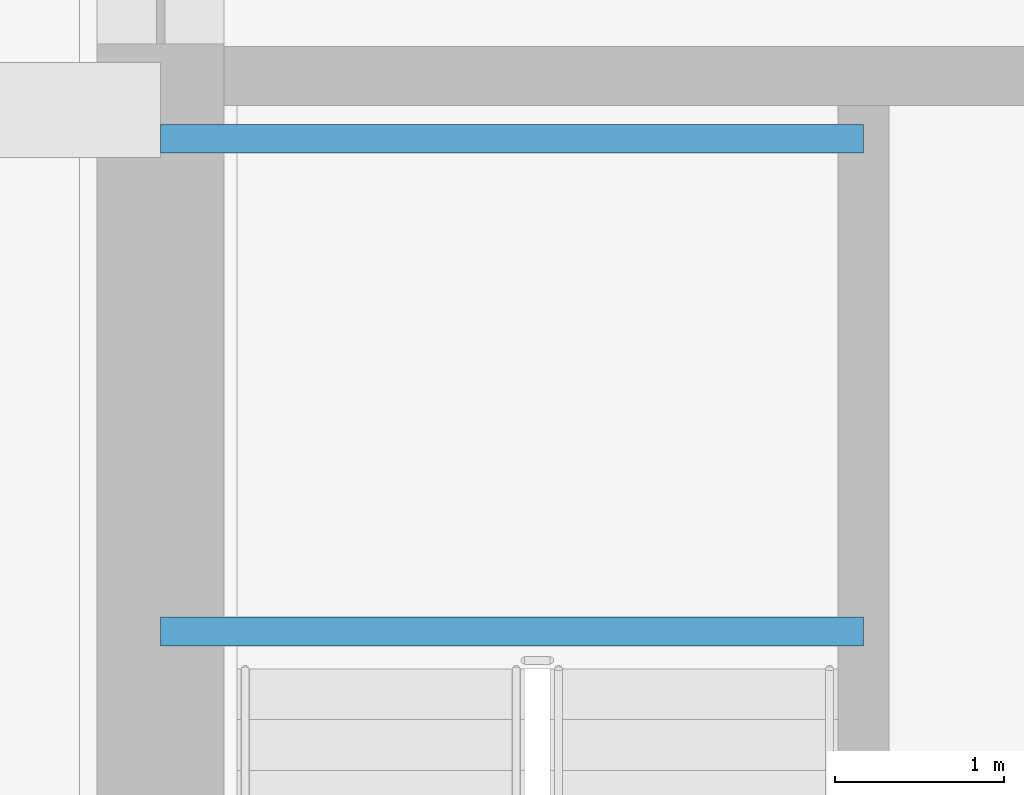
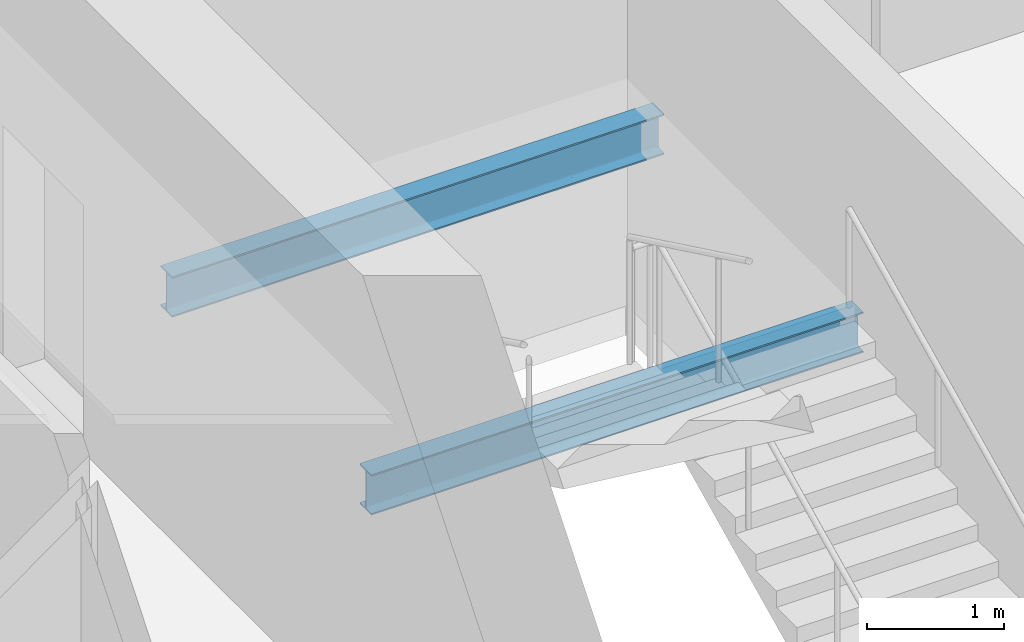
# One storey, part 5 of 30: 2 beams.
"""IFC4 building model written with IfcOpenShell, lengths in metres."""

from ifc_helpers import new_model, si_unit, direction, frame, origin, origin_2d, place, context, subcontext, project, spatial, i_section, extrude, material, material_profile, profile_set, type_object, element, save


model = new_model("IFC4")

# Units and contexts
model_context = context("Model", 3, precision=1e-05, world=origin(), true_north=direction((0.0, 1.0)))
body_context = subcontext(model_context, "Body", "Model", "MODEL_VIEW")
ifc_project = project(units=[si_unit("LENGTHUNIT", "METRE"), si_unit("AREAUNIT", "SQUARE_METRE"), si_unit("VOLUMEUNIT", "CUBIC_METRE"), si_unit("PLANEANGLEUNIT", "RADIAN"), si_unit("MASSUNIT", "GRAM", prefix="KILO")], contexts=[model_context])

# Site, building, storey
site_placement = place(None, origin())
site = spatial("IfcSite", under=ifc_project, at=site_placement, CompositionType="ELEMENT")
building_placement = place(site_placement, origin())
building = spatial("IfcBuilding", under=site, at=building_placement, Name="Punatoya Terracotta Tower", CompositionType="ELEMENT")
storey_placement = place(building_placement, frame((0.0, 0.0, 28.199951171875)))
storey = spatial("IfcBuildingStorey", under=building, at=storey_placement, Name="L05", CompositionType="ELEMENT", Elevation=28.199951171875)

# Beams
ifc_material = material(Name="Steel S355", Category="steel")
ifc_material_profile = material_profile(ifc_material, i_section(OverallWidth=0.169921875, OverallDepth=0.360107421875, WebThickness=0.008056640625, FlangeThickness=0.0126953125, FilletRadius=0.01806640625, at=origin_2d()))
ifc_profile_set = profile_set([ifc_material_profile], Name="Steel S355")
beam_type = type_object("IfcBeamType", Name="BM-SEC-360", PredefinedType="JOIST", material=ifc_profile_set)
for number, where, z_axis, x_axis, name in (
    (1, (-10.199951171875, 0.320068359375, 1.64501953125), (1.0, 0.0, 0.0), (0.0, 1.0, 0.0), "BM-L05-ST-1-LD1A"),
    (2, (-10.199951171875, 3.22998046875, 1.64501953125), (1.0, 0.0, 0.0), (0.0, 1.0, 0.0), "BM-L05-ST-1-LD1B"),
):
    element("IfcBeam", number, at=place(storey_placement, frame(where, z_axis=z_axis, x_axis=x_axis)), inside=storey, type_object=beam_type, Name=name, PredefinedType="JOIST", context=body_context, shape_type="SweptSolid", body=[
        extrude(i_section(OverallWidth=0.169921875, OverallDepth=0.360107421875, WebThickness=0.008056640625, FlangeThickness=0.0126953125, FilletRadius=0.01806640625, at=origin_2d()), origin(), (0.0, 0.0, 1.0), 4.14990234375),
    ])

save(model, "model.ifc")
